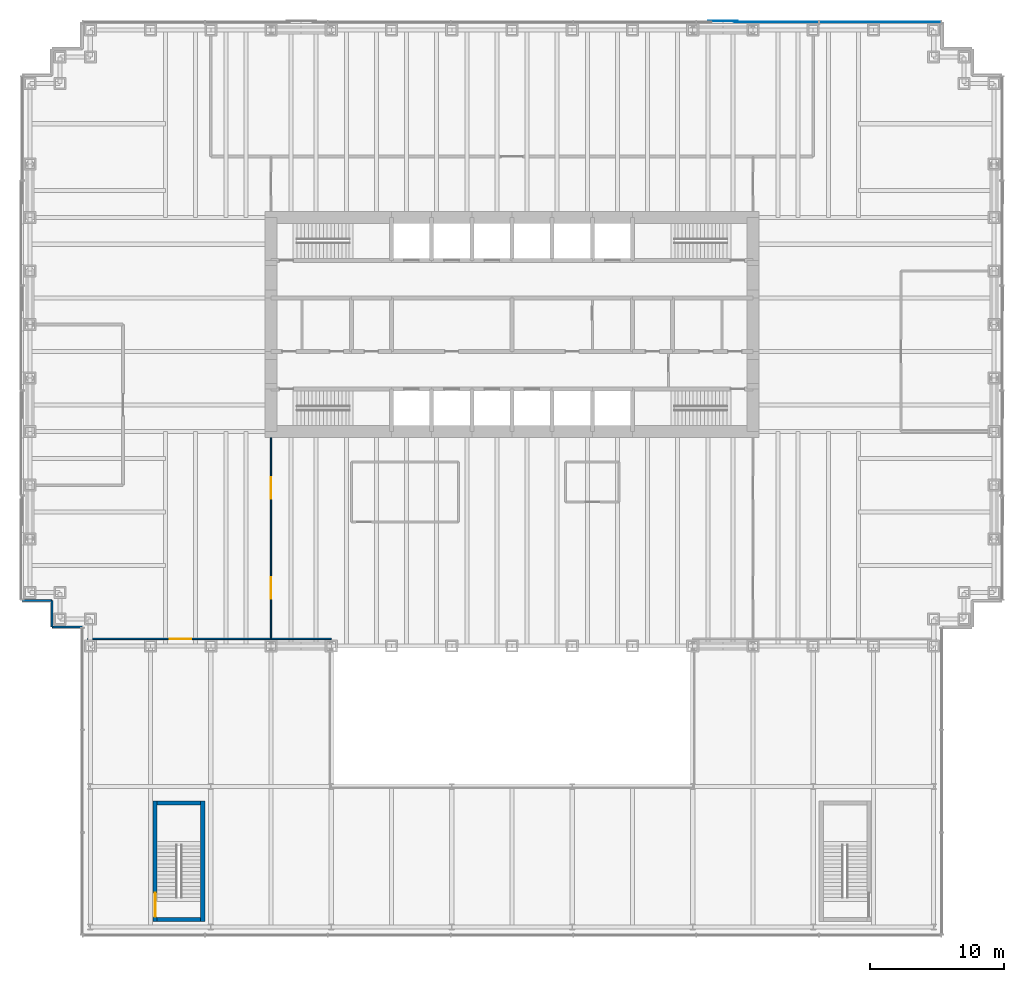
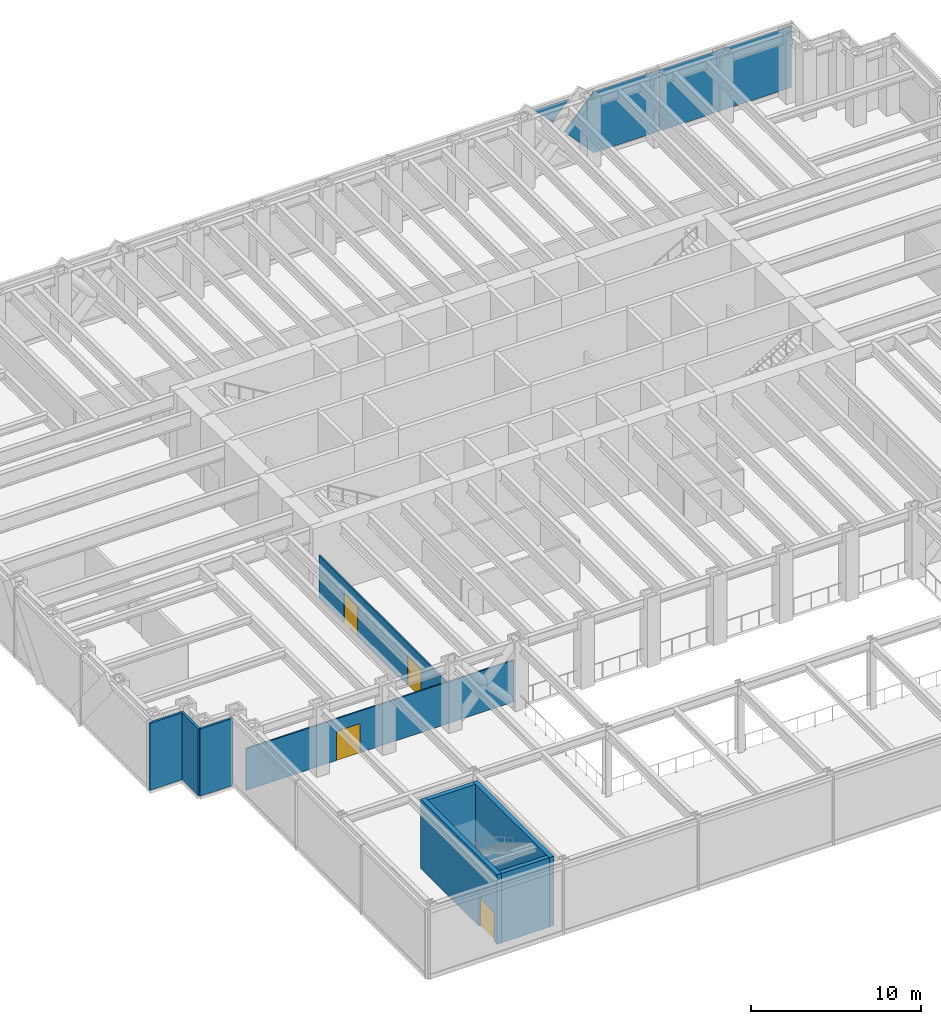
# One storey, part 12 of 17: 9 walls, 4 doors, 3 plates, 4 openings, 1 element without a shape of its own.
"""IFC4 building model written with IfcOpenShell, lengths in metres."""

from ifc_helpers import new_model, si_unit, direction, frame, frame_2d, origin, origin_2d, place, context, subcontext, project, spatial, polyline, rectangle, outline, extrude, material, layer, layer_set, type_object, element, fill, aggregate, save


model = new_model("IFC4")

# Units and contexts
model_context = context("Model", 3, precision=1e-05, world=origin(), true_north=direction((0.0, 1.0)))
body_context = subcontext(model_context, "Body", "Model", "MODEL_VIEW")
ifc_project = project(units=[si_unit("LENGTHUNIT", "METRE"), si_unit("AREAUNIT", "SQUARE_METRE"), si_unit("VOLUMEUNIT", "CUBIC_METRE"), si_unit("PLANEANGLEUNIT", "RADIAN"), si_unit("MASSUNIT", "GRAM", prefix="KILO")], contexts=[model_context])

# Site, building, storey
site_placement = place(None, origin())
site = spatial("IfcSite", under=ifc_project, at=site_placement, CompositionType="ELEMENT")
building_placement = place(site_placement, origin())
building = spatial("IfcBuilding", under=site, at=building_placement, Name="Rheinbord Bourse Tower", CompositionType="ELEMENT")
storey_placement = place(building_placement, frame((0.0, 0.0, 13.0)))
storey = spatial("IfcBuildingStorey", under=building, at=storey_placement, Name="L02", CompositionType="ELEMENT", Elevation=13.0)

# Curtain wall, plates
ifc_material_1 = material(Name="Dark glass and black aluminium", Category="aluminium")
curtain_wall_type = type_object("IfcCurtainWallType", Name="CW4 DARK GLASS CURTAIN WALL", PredefinedType="USERDEFINED", material=ifc_material_1)
curtain_wall_placement = place(storey_placement, origin())
curtain_wall = element("IfcCurtainWall", 1, at=curtain_wall_placement, inside=storey, type_object=curtain_wall_type, Name="Curtain wall CW4 N L02", ObjectType="UNITISED CURTAIN WALL", PredefinedType="USERDEFINED")
ifc_material_2 = material(Name="Dark tinted triple insulating glass", Category="glass")
ifc_layer_1 = layer(ifc_material_2, 0.068115234375)
ifc_layer_set_1 = layer_set([ifc_layer_1], Name="CW4 DARK GLASS PANEL")
plate_type = type_object("IfcPlateType", Name="CW4 DARK GLASS PANEL", PredefinedType="CURTAIN_PANEL", material=ifc_layer_set_1)
plate_1_placement = place(storey_placement, frame((63.49169921875, 46.60009765625, 0.300048828125), z_axis=(0.0, 0.0, 1.0), x_axis=(-1.0, 0.0, 0.0)))
plate_1 = element("IfcPlate", 2, at=plate_1_placement, type_object=plate_type, Name="CW4 panel 1.1", PredefinedType="CURTAIN_PANEL", context=body_context, shape_type="SweptSolid", body=[
    extrude(rectangle(XDim=9.036376953125, YDim=0.068115234375, at=origin_2d()), origin(), (0.0, 0.0, 1.0), 4.39990234375),
])
plate_2_placement = place(storey_placement, frame((58.884033203125, 46.63427734375, 0.300048828125), z_axis=(0.0, -1.0, 0.0), x_axis=(0.0, 0.0, 1.0)))
plate_2 = element("IfcPlate", 3, at=plate_2_placement, type_object=plate_type, Name="CW4 glass facet 1", PredefinedType="CURTAIN_PANEL", context=body_context, shape_type="SweptSolid", body=[
    extrude(outline(polyline([(0.0, 0.0), (4.39990234375, 0.0), (4.39990234375, 4.340087890625), (2.199951171875, 6.320068359375), (0.0, 4.340087890625), (0.0, 0.0)])), origin(), (0.0, 0.0, 1.0), 0.068115234375),
])
plate_3_placement = place(storey_placement, frame((50.583984375, 46.70703125, 4.699951171875), z_axis=(0.0, -1.0, 0.0), x_axis=(0.668871876535, 0.0, -0.743377705329)))
plate_3 = element("IfcPlate", 4, at=plate_3_placement, type_object=plate_type, Name="CW4 glass facet 3", PredefinedType="CURTAIN_PANEL", context=body_context, shape_type="SweptSolid", body=[
    extrude(outline(polyline([(0.0, 0.0), (1.7431640625, 0.0), (1.559814453125, 1.733642578125), (0.0, 0.0)])), origin(), (0.0, 0.0, 1.0), 0.068115234375),
])
aggregate(curtain_wall, [plate_1, plate_2, plate_3])

# Walls
ifc_material_3 = material(Name="Black metal rainscreen panel", Category="aluminium")
ifc_layer_2 = layer(ifc_material_3, 0.14990234375)
ifc_layer_set_2 = layer_set([ifc_layer_2], Name="CORNER PIER CLADDING 150")
wall_type_1 = type_object("IfcWallType", Name="CORNER PIER CLADDING 150", PredefinedType="ELEMENTEDWALL", material=ifc_layer_set_2)
wall_1_placement = place(storey_placement, frame((-0.60009765625, 3.39990234375, 0.0), z_axis=(0.0, 0.0, 1.0), x_axis=(1.0, 0.0, 0.0)))
element("IfcWall", 5, at=wall_1_placement, inside=storey, type_object=wall_type_1, Name="Corner pier cladding L02 17", PredefinedType="ELEMENTEDWALL", context=body_context, shape_type="SweptSolid", body=[
    extrude(rectangle(XDim=2.25, YDim=0.14990234375, at=frame_2d((1.125, 0.0))), origin(), (0.0, 0.0, 1.0), 4.820068359375),
])
wall_2_placement = place(storey_placement, frame((1.64990234375, 3.39990234375, 0.0), z_axis=(0.0, 0.0, 1.0), x_axis=(0.0, -1.0, 0.0)))
element("IfcWall", 6, at=wall_2_placement, inside=storey, type_object=wall_type_1, Name="Corner pier cladding L02 18", PredefinedType="ELEMENTEDWALL", context=body_context, shape_type="SweptSolid", body=[
    extrude(rectangle(XDim=2.0, YDim=0.14990234375, at=frame_2d((1.0, 0.0))), origin(), (0.0, 0.0, 1.0), 4.820068359375),
])
wall_3_placement = place(storey_placement, frame((1.64990234375, 1.39990234375, 0.0), z_axis=(0.0, 0.0, 1.0), x_axis=(1.0, 0.0, 0.0)))
element("IfcWall", 7, at=wall_3_placement, inside=storey, type_object=wall_type_1, Name="Corner pier cladding L02 19", PredefinedType="ELEMENTEDWALL", context=body_context, shape_type="SweptSolid", body=[
    extrude(rectangle(XDim=2.25, YDim=0.14990234375, at=frame_2d((1.125, 0.0))), origin(), (0.0, 0.0, 1.0), 4.820068359375),
])

# Wall, openings, doors
ifc_material_4 = material(Name="Toughened laminated glass partition", Category="glass")
ifc_layer_3 = layer(ifc_material_4, 0.10009765625)
ifc_layer_set_3 = layer_set([ifc_layer_3], Name="GLAZED PARTITION 100")
wall_type_2 = type_object("IfcWallType", Name="GLAZED PARTITION 100", PredefinedType="PARTITIONING", material=ifc_layer_set_3)
wall_4_placement = place(storey_placement, frame((18.0, 0.574951171875, 0.0), z_axis=(0.0, 0.0, 1.0), x_axis=(0.0, 1.0, 0.0)))
wall_4 = element("IfcWall", 8, at=wall_4_placement, inside=storey, type_object=wall_type_2, Name="Partition L02-12", PredefinedType="PARTITIONING", context=body_context, shape_type="SweptSolid", body=[
    extrude(rectangle(XDim=14.97509765625, YDim=0.10009765625, at=frame_2d((7.487548828125, 0.0))), origin(), (0.0, 0.0, 1.0), 3.0),
])
opening_1_placement = place(wall_4_placement, frame((2.944091796875, 0.0, 0.0)))
opening_1 = element("IfcOpeningElement", 9, at=opening_1_placement, cuts=wall_4, Name="Opening 02D06", PredefinedType="OPENING", context=body_context, shape_type="SweptSolid", body=[
    extrude(rectangle(XDim=1.60009765625, YDim=2.10009765625, at=frame_2d((0.800048828125, 1.050048828125))), frame((0.0, 0.06005859375, 0.0), z_axis=(0.0, -1.0, 0.0), x_axis=(1.0, 0.0, 0.0)), (0.0, 0.0, 1.0), 0.1201171875),
])
opening_2_placement = place(wall_4_placement, frame((10.430908203125, 0.0, 0.0)))
opening_2 = element("IfcOpeningElement", 10, at=opening_2_placement, cuts=wall_4, Name="Opening 02D07", PredefinedType="OPENING", context=body_context, shape_type="SweptSolid", body=[
    extrude(rectangle(XDim=1.60009765625, YDim=2.10009765625, at=frame_2d((0.800048828125, 1.050048828125))), frame((0.0, 0.06005859375, 0.0), z_axis=(0.0, -1.0, 0.0), x_axis=(1.0, 0.0, 0.0)), (0.0, 0.0, 1.0), 0.1201171875),
])
ifc_material_5 = material(Name="Timber door", Category="wood")
door_type_1 = type_object("IfcDoorType", Name="DOUBLE ROOM DOOR 1600", OperationType="DOUBLE_DOOR_DOUBLE_SWING", PredefinedType="DOOR", material=ifc_material_5)
door_1_placement = place(opening_1_placement, origin())
door_1 = element("IfcDoor", 11, at=door_1_placement, inside=storey, type_object=door_type_1, Name="Open area door L02", OperationType="SINGLE_SWING_LEFT", OverallHeight=2.10009765625, OverallWidth=1.60009765625, PredefinedType="DOOR", context=body_context, shape_type="SweptSolid", body=[
    extrude(rectangle(XDim=1.60009765625, YDim=2.10009765625, at=frame_2d((0.800048828125, 1.050048828125))), frame((0.0, 0.02490234375, 0.0), z_axis=(0.0, -1.0, 0.0), x_axis=(1.0, 0.0, 0.0)), (0.0, 0.0, 1.0), 0.050048828125),
])
fill(opening_1, door_1)
door_2_placement = place(opening_2_placement, origin())
door_2 = element("IfcDoor", 12, at=door_2_placement, inside=storey, type_object=door_type_1, Name="Open area door L02", OperationType="SINGLE_SWING_LEFT", OverallHeight=2.10009765625, OverallWidth=1.60009765625, PredefinedType="DOOR", context=body_context, shape_type="SweptSolid", body=[
    extrude(rectangle(XDim=1.60009765625, YDim=2.10009765625, at=frame_2d((0.800048828125, 1.050048828125))), frame((0.0, 0.02490234375, 0.0), z_axis=(0.0, -1.0, 0.0), x_axis=(1.0, 0.0, 0.0)), (0.0, 0.0, 1.0), 0.050048828125),
])
fill(opening_2, door_2)

# Wall, opening, door
wall_5_placement = place(storey_placement, frame((4.300048828125, 0.52490234375, 0.0), z_axis=(0.0, 0.0, 1.0), x_axis=(1.0, 0.0, 0.0)))
wall_5 = element("IfcWall", 13, at=wall_5_placement, inside=storey, type_object=wall_type_2, Name="Podium screen L02-1", PredefinedType="PARTITIONING", context=body_context, shape_type="SweptSolid", body=[
    extrude(rectangle(XDim=18.199951171875, YDim=0.10009765625, at=frame_2d((9.10009765625, 0.0))), origin(), (0.0, 0.0, 1.0), 3.0),
])
opening_3_placement = place(wall_5_placement, frame((6.14990234375, 0.0, 0.0)))
opening_3 = element("IfcOpeningElement", 14, at=opening_3_placement, cuts=wall_5, Name="Opening 02D12", PredefinedType="OPENING", context=body_context, shape_type="SweptSolid", body=[
    extrude(rectangle(XDim=1.60009765625, YDim=2.10009765625, at=frame_2d((0.800048828125, 1.050048828125))), frame((0.0, 0.06005859375, 0.0), z_axis=(0.0, -1.0, 0.0), x_axis=(1.0, 0.0, 0.0)), (0.0, 0.0, 1.0), 0.1201171875),
])
door_3_placement = place(opening_3_placement, origin())
door_3 = element("IfcDoor", 15, at=door_3_placement, inside=storey, type_object=door_type_1, Name="Podium screen door L02", OperationType="SINGLE_SWING_LEFT", OverallHeight=2.10009765625, OverallWidth=1.60009765625, PredefinedType="DOOR", context=body_context, shape_type="SweptSolid", body=[
    extrude(rectangle(XDim=1.60009765625, YDim=2.10009765625, at=frame_2d((0.800048828125, 1.050048828125))), frame((0.0, 0.02490234375, 0.0), z_axis=(0.0, -1.0, 0.0), x_axis=(1.0, 0.0, 0.0)), (0.0, 0.0, 1.0), 0.050048828125),
])
fill(opening_3, door_3)

ifc_material_6 = material(Name="Concrete C50/60", Category="concrete")
ifc_layer_4 = layer(ifc_material_6, 0.300048828125)
ifc_layer_set_4 = layer_set([ifc_layer_4], Name="PODIUM STAIR WALL 300")
wall_type_3 = type_object("IfcWallType", Name="PODIUM STAIR WALL 300", PredefinedType="SOLIDWALL", material=ifc_layer_set_4)
wall_6_placement = place(storey_placement, frame((9.35009765625, -20.60009765625, 0.0), z_axis=(0.0, 0.0, 1.0), x_axis=(0.0, 1.0, 0.0)))
wall_6 = element("IfcWall", 16, at=wall_6_placement, inside=storey, type_object=wall_type_3, Name="Stair wall ST5 W L02", PredefinedType="SOLIDWALL", context=body_context, shape_type="SweptSolid", body=[
    extrude(rectangle(XDim=9.0, YDim=0.300048828125, at=frame_2d((4.5, 0.0))), origin(), (0.0, 0.0, 1.0), 5.0),
])
opening_4_placement = place(wall_6_placement, frame((0.35009765625, 0.0, 0.0)))
opening_4 = element("IfcOpeningElement", 17, at=opening_4_placement, cuts=wall_6, Name="Opening 0251", PredefinedType="OPENING", context=body_context, shape_type="SweptSolid", body=[
    extrude(rectangle(XDim=1.800048828125, YDim=2.10009765625, at=frame_2d((0.89990234375, 1.050048828125))), frame((0.0, 0.159912109375, 0.0), z_axis=(0.0, -1.0, 0.0), x_axis=(1.0, 0.0, 0.0)), (0.0, 0.0, 1.0), 0.320068359375),
])
ifc_material_7 = material(Name="Steel door", Category="steel")
door_type_2 = type_object("IfcDoorType", Name="DOOR 1800 EI30 DOUBLE", OperationType="DOUBLE_DOOR_DOUBLE_SWING", PredefinedType="DOOR", material=ifc_material_7)
door_4_placement = place(opening_4_placement, origin())
door_4 = element("IfcDoor", 18, at=door_4_placement, inside=storey, type_object=door_type_2, Name="Stair door ST5 L02", OperationType="SINGLE_SWING_LEFT", OverallHeight=2.10009765625, OverallWidth=1.800048828125, PredefinedType="DOOR", context=body_context, shape_type="SweptSolid", body=[
    extrude(rectangle(XDim=1.800048828125, YDim=2.10009765625, at=frame_2d((0.89990234375, 1.050048828125))), frame((0.0, 0.02490234375, 0.0), z_axis=(0.0, -1.0, 0.0), x_axis=(1.0, 0.0, 0.0)), (0.0, 0.0, 1.0), 0.050048828125),
])
fill(opening_4, door_4)

# Walls
wall_7_placement = place(storey_placement, frame((12.89990234375, -20.60009765625, 0.0), z_axis=(0.0, 0.0, 1.0), x_axis=(0.0, 1.0, 0.0)))
element("IfcWall", 19, at=wall_7_placement, inside=storey, type_object=wall_type_3, Name="Stair wall ST5 E L02", PredefinedType="SOLIDWALL", context=body_context, shape_type="SweptSolid", body=[
    extrude(rectangle(XDim=9.0, YDim=0.300048828125, at=frame_2d((4.5, 0.0))), origin(), (0.0, 0.0, 1.0), 5.0),
])
for number, where, z_axis, x_axis, name in (
    (20, (9.5, -20.449951171875, 0.0), (0.0, 0.0, 1.0), (1.0, 0.0, 0.0), "Stair wall ST5 S L02"),
    (21, (9.5, -11.75, 0.0), (0.0, 0.0, 1.0), (1.0, 0.0, 0.0), "Stair wall ST5 N L02"),
):
    element("IfcWall", number, at=place(storey_placement, frame(where, z_axis=z_axis, x_axis=x_axis)), inside=storey, type_object=wall_type_3, Name=name, PredefinedType="SOLIDWALL", context=body_context, shape_type="SweptSolid", body=[
        extrude(rectangle(XDim=3.25, YDim=0.300048828125, at=frame_2d((1.625, 0.0))), origin(), (0.0, 0.0, 1.0), 5.0),
    ])

save(model, "model.ifc")
